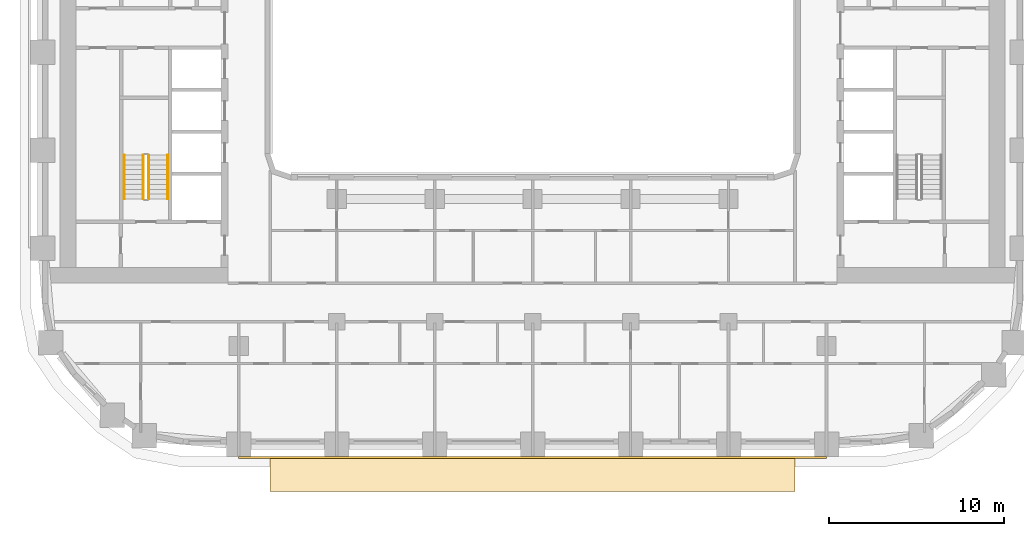
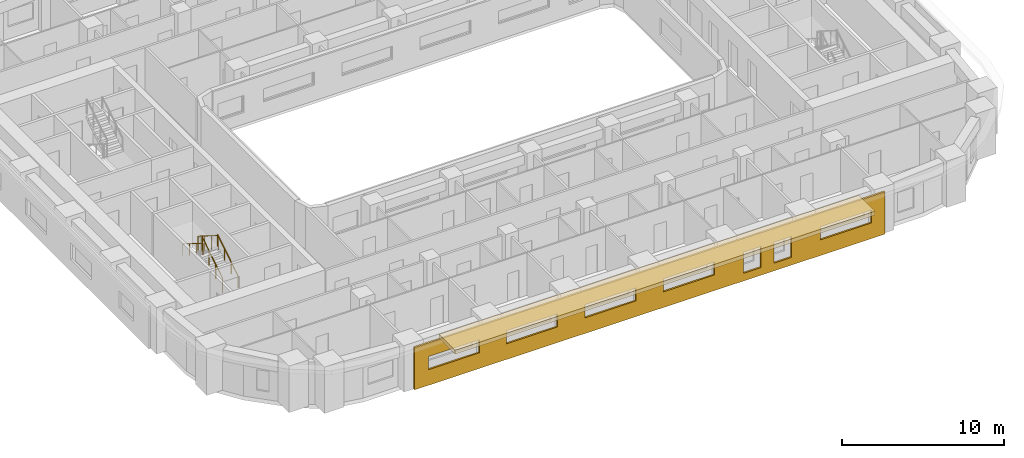
# One storey, part 13 of 22: 4 railings, 2 coverings.
"""IFC4 building model written with IfcOpenShell, lengths in metres."""

from ifc_helpers import new_model, si_unit, direction, frame, origin, origin_2d, place, context, subcontext, project, spatial, polyline, circle, outline, extrude, material, layer, layer_set, type_object, element, save


model = new_model("IFC4")

# Units and contexts
model_context = context("Model", 3, precision=1e-05, world=origin(), true_north=direction((0.0, 1.0)))
body_context = subcontext(model_context, "Body", "Model", "MODEL_VIEW")
ifc_project = project(units=[si_unit("LENGTHUNIT", "METRE"), si_unit("AREAUNIT", "SQUARE_METRE"), si_unit("VOLUMEUNIT", "CUBIC_METRE"), si_unit("PLANEANGLEUNIT", "RADIAN"), si_unit("MASSUNIT", "GRAM", prefix="KILO")], contexts=[model_context])

# Site, building, storey
site_placement = place(None, origin())
site = spatial("IfcSite", under=ifc_project, at=site_placement, CompositionType="ELEMENT")
building_placement = place(site_placement, origin())
building = spatial("IfcBuilding", under=site, at=building_placement, Name="Kiln Ring Residences", CompositionType="ELEMENT")
storey_placement = place(building_placement, frame((0.0, 0.0, 62.0)))
storey = spatial("IfcBuildingStorey", under=building, at=storey_placement, Name="L15", CompositionType="ELEMENT", Elevation=62.0)

# Railings
ifc_material_1 = material(Name="Stainless steel", Category="steel")
railing_type_1 = type_object("IfcRailingType", Name="CORE-STAIR-GUARD", PredefinedType="GUARDRAIL", material=ifc_material_1)
railing_1_placement = place(storey_placement, frame((-21.949951171875, -8.39990234375, 0.175048828125)))
element("IfcRailing", 1, at=railing_1_placement, inside=storey, type_object=railing_type_1, Name="L15 W-STS stair guard 1", PredefinedType="GUARDRAIL", context=body_context, shape_type="SweptSolid", body=[
    extrude(circle(Radius=0.02392578125, at=origin_2d()), frame((0.0, 0.0, 1.076171875), z_axis=(0.0, 0.848007534815, 0.529984170421), x_axis=(-1.0, 0.0, 0.0)), (0.0, 0.0, 1.0), 2.9716796875),
    extrude(circle(Radius=0.02099609375, at=origin_2d()), origin(), (0.0, 0.0, 1.0), 1.052001953125),
    extrude(circle(Radius=0.02099609375, at=origin_2d()), frame((0.0, 0.840087890625, 0.52490234375)), (0.0, 0.0, 1.0), 1.052001953125),
    extrude(circle(Radius=0.02099609375, at=origin_2d()), frame((0.0, 1.679931640625, 1.050048828125)), (0.0, 0.0, 1.0), 1.052001953125),
    extrude(circle(Radius=0.02099609375, at=origin_2d()), frame((0.0, 2.52001953125, 1.574951171875)), (0.0, 0.0, 1.0), 1.052001953125),
])
railing_2_placement = place(storey_placement, frame((-22.25, -5.8798828125, 1.925048828125)))
element("IfcRailing", 2, at=railing_2_placement, inside=storey, type_object=railing_type_1, Name="L15 W-STS stair guard 3", PredefinedType="GUARDRAIL", context=body_context, shape_type="SweptSolid", body=[
    extrude(circle(Radius=0.02392578125, at=origin_2d()), frame((0.0, 0.0, 1.076171875), z_axis=(0.0, -0.848007534815, 0.529984170421), x_axis=(1.0, 0.0, 0.0)), (0.0, 0.0, 1.0), 2.9716796875),
    extrude(circle(Radius=0.02099609375, at=origin_2d()), origin(), (0.0, 0.0, 1.0), 1.052001953125),
    extrude(circle(Radius=0.02099609375, at=origin_2d()), frame((0.0, -0.840087890625, 0.52490234375)), (0.0, 0.0, 1.0), 1.052001953125),
    extrude(circle(Radius=0.02099609375, at=origin_2d()), frame((0.0, -1.679931640625, 1.050048828125)), (0.0, 0.0, 1.0), 1.052001953125),
    extrude(circle(Radius=0.02099609375, at=origin_2d()), frame((0.0, -2.52001953125, 1.574951171875)), (0.0, 0.0, 1.0), 1.052001953125),
])
ifc_material_2 = material(Name="Stainless steel", Category="steel")
railing_type_2 = type_object("IfcRailingType", Name="CORE-STAIR-HANDRAIL", PredefinedType="HANDRAIL", material=ifc_material_2)
railing_3_placement = place(storey_placement, frame((-20.85009765625, -8.39990234375, 0.175048828125)))
element("IfcRailing", 3, at=railing_3_placement, inside=storey, type_object=railing_type_2, Name="L15 W-STS stair handrail 1", PredefinedType="HANDRAIL", context=body_context, shape_type="SweptSolid", body=[
    extrude(circle(Radius=0.02392578125, at=origin_2d()), frame((0.0, 0.0, 0.8759765625), z_axis=(0.0, 0.848007534815, 0.529984170421), x_axis=(-1.0, 0.0, 0.0)), (0.0, 0.0, 1.0), 2.9716796875),
    extrude(circle(Radius=0.02099609375, at=origin_2d()), origin(), (0.0, 0.0, 1.0), 0.851806640625),
    extrude(circle(Radius=0.02099609375, at=origin_2d()), frame((0.0, 0.840087890625, 0.52490234375)), (0.0, 0.0, 1.0), 0.851806640625),
    extrude(circle(Radius=0.02099609375, at=origin_2d()), frame((0.0, 1.679931640625, 1.050048828125)), (0.0, 0.0, 1.0), 0.851806640625),
    extrude(circle(Radius=0.02099609375, at=origin_2d()), frame((0.0, 2.52001953125, 1.574951171875)), (0.0, 0.0, 1.0), 0.851806640625),
])
railing_4_placement = place(storey_placement, frame((-23.35009765625, -5.8798828125, 1.925048828125)))
element("IfcRailing", 4, at=railing_4_placement, inside=storey, type_object=railing_type_2, Name="L15 W-STS stair handrail 2", PredefinedType="HANDRAIL", context=body_context, shape_type="SweptSolid", body=[
    extrude(circle(Radius=0.02392578125, at=origin_2d()), frame((0.0, 0.0, 0.8759765625), z_axis=(0.0, -0.848007534815, 0.529984170421), x_axis=(1.0, 0.0, 0.0)), (0.0, 0.0, 1.0), 2.9716796875),
    extrude(circle(Radius=0.02099609375, at=origin_2d()), origin(), (0.0, 0.0, 1.0), 0.851806640625),
    extrude(circle(Radius=0.02099609375, at=origin_2d()), frame((0.0, -0.840087890625, 0.52490234375)), (0.0, 0.0, 1.0), 0.851806640625),
    extrude(circle(Radius=0.02099609375, at=origin_2d()), frame((0.0, -1.679931640625, 1.050048828125)), (0.0, 0.0, 1.0), 0.851806640625),
    extrude(circle(Radius=0.02099609375, at=origin_2d()), frame((0.0, -2.52001953125, 1.574951171875)), (0.0, 0.0, 1.0), 0.851806640625),
])

# Coverings
ifc_material_3 = material(Name="Brick masonry, dark clay brick", Category="masonry")
ifc_layer_1 = layer(ifc_material_3, 0.1201171875)
ifc_layer_set_1 = layer_set([ifc_layer_1], Name="RAINSCREEN PANEL 120")
covering_type_1 = type_object("IfcCoveringType", Name="RAINSCREEN PANEL 120", PredefinedType="CLADDING", material=ifc_layer_set_1)
covering_1_placement = place(storey_placement, frame((-16.800048828125, -23.159912109375, 0.0), z_axis=(0.0, 0.0, 1.0), x_axis=(1.0, 0.0, 0.0)))
element("IfcCovering", 5, at=covering_1_placement, inside=storey, type_object=covering_type_1, Name="RAINSCREEN L15", PredefinedType="CLADDING", context=body_context, shape_type="SweptSolid", body=[
    extrude(outline(polyline([(0.0, 0.0), (33.60009765625, 0.0), (33.60009765625, 3.199951171875), (0.0, 3.199951171875), (0.0, 0.0)]), holes=[polyline([(24.732421875, 0.580078125), (24.732421875, 2.169921875), (23.492431640625, 2.169921875), (23.492431640625, 0.580078125), (24.732421875, 0.580078125)]), polyline([(25.66748046875, 0.580078125), (26.907470703125, 0.580078125), (26.907470703125, 2.169921875), (25.66748046875, 2.169921875), (25.66748046875, 0.580078125)]), polyline([(0.97998046875, 1.179931640625), (4.6201171875, 1.179931640625), (4.6201171875, 2.169921875), (0.97998046875, 2.169921875), (0.97998046875, 1.179931640625)]), polyline([(6.580078125, 1.179931640625), (10.219970703125, 1.179931640625), (10.219970703125, 2.169921875), (6.580078125, 2.169921875), (6.580078125, 1.179931640625)]), polyline([(12.179931640625, 1.179931640625), (15.820068359375, 1.179931640625), (15.820068359375, 2.169921875), (12.179931640625, 2.169921875), (12.179931640625, 1.179931640625)]), polyline([(17.780029296875, 1.179931640625), (21.419921875, 1.179931640625), (21.419921875, 2.169921875), (17.780029296875, 2.169921875), (17.780029296875, 1.179931640625)]), polyline([(28.97998046875, 1.179931640625), (32.6201171875, 1.179931640625), (32.6201171875, 2.169921875), (28.97998046875, 2.169921875), (28.97998046875, 1.179931640625)])]), frame((0.0, 0.06005859375, 0.0), z_axis=(0.0, -1.0, 0.0), x_axis=(1.0, 0.0, 0.0)), (0.0, 0.0, 1.0), 0.1201171875),
])
ifc_material_4 = material(Name="Black powder-coated steel", Category="steel")
ifc_layer_2 = layer(ifc_material_4, 0.300048828125)
ifc_layer_set_2 = layer_set([ifc_layer_2], Name="SUNSHADE BAND 2000")
covering_type_2 = type_object("IfcCoveringType", Name="SUNSHADE BAND 2000", PredefinedType="CLADDING", material=ifc_layer_set_2)
covering_2_placement = place(storey_placement, frame((0.0, 0.0, 3.199951171875)))
element("IfcCovering", 6, at=covering_2_placement, inside=storey, type_object=covering_type_2, Name="SUNSHADE BAND L15", PredefinedType="CLADDING", context=body_context, shape_type="SweptSolid", body=[
    extrude(outline(polyline([(-15.0, -25.10009765625), (15.0, -25.10009765625), (15.0, -23.10009765625), (-15.0, -23.10009765625), (-15.0, -25.10009765625)])), origin(), (0.0, 0.0, 1.0), 0.300048828125),
])

save(model, "model.ifc")
